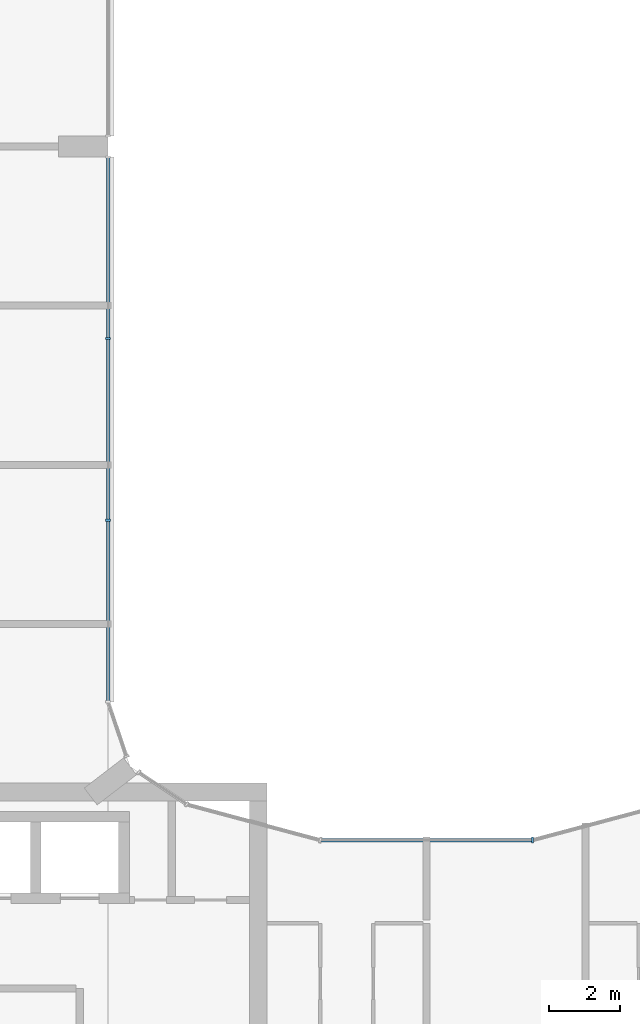
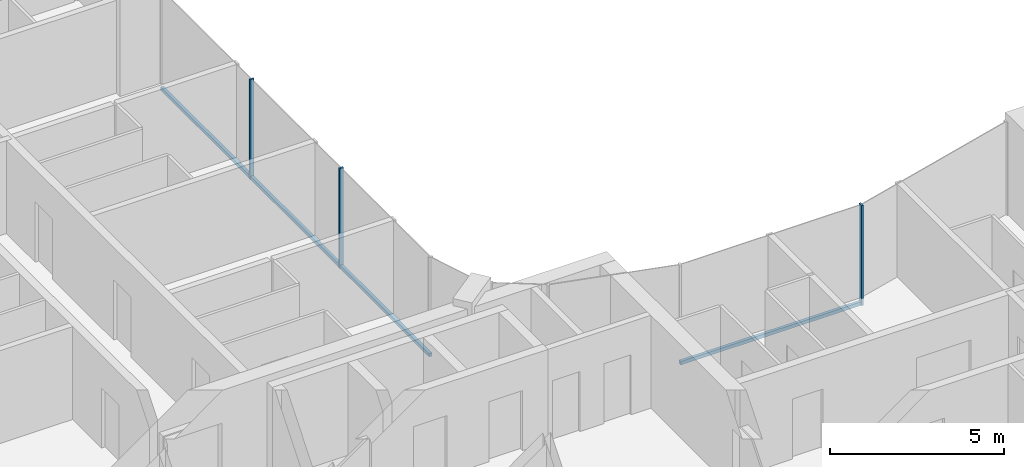
# One storey, part 5 of 16: 5 members, 2 elements without a shape of their own.
"""IFC4 building model written with IfcOpenShell, lengths in metres."""

from ifc_helpers import new_model, si_unit, direction, frame, origin, origin_2d, place, context, subcontext, project, spatial, rectangle, extrude, material, layer, layer_set, material_profile, profile_set, type_object, element, aggregate, save


model = new_model("IFC4")

# Units and contexts
model_context = context("Model", 3, precision=1e-05, world=origin(), true_north=direction((0.0, 1.0)))
body_context = subcontext(model_context, "Body", "Model", "MODEL_VIEW")
ifc_project = project(units=[si_unit("LENGTHUNIT", "METRE"), si_unit("AREAUNIT", "SQUARE_METRE"), si_unit("VOLUMEUNIT", "CUBIC_METRE"), si_unit("PLANEANGLEUNIT", "RADIAN"), si_unit("MASSUNIT", "GRAM", prefix="KILO")], contexts=[model_context])

# Site, building, storey
site_placement = place(None, origin())
site = spatial("IfcSite", under=ifc_project, at=site_placement, CompositionType="ELEMENT")
building_placement = place(site_placement, origin())
building = spatial("IfcBuilding", under=site, at=building_placement, Name="Plateau Cross Towers", CompositionType="ELEMENT")
storey_placement = place(building_placement, frame((0.0, 0.0, 218.89990234375)))
storey = spatial("IfcBuildingStorey", under=building, at=storey_placement, Name="L57", CompositionType="ELEMENT", Elevation=218.89990234375)

# Curtain wall, members
ifc_material_1 = material(Name="Dark low-iron glass", Category="glass")
ifc_layer_1 = layer(ifc_material_1, 0.239990234375)
ifc_layer_set_1 = layer_set([ifc_layer_1], Name="Dark low-iron glass")
curtain_wall_type_1 = type_object("IfcCurtainWallType", Name="Curtain wall flush unitised CW-B", PredefinedType="NOTDEFINED", material=ifc_layer_set_1)
curtain_wall_1_placement = place(storey_placement, origin())
curtain_wall_1 = element("IfcCurtainWall", 1, at=curtain_wall_1_placement, inside=storey, type_object=curtain_wall_type_1, Name="ENV/A/L57/A180_203", PredefinedType="NOTDEFINED")
ifc_material_2 = material(Name="Black anodised aluminium", Category="aluminium")
ifc_material_profile_1 = material_profile(ifc_material_2, rectangle(XDim=0.06005859375, YDim=0.139892578125, at=origin_2d()), Name="MULLION 60x140")
ifc_profile_set_1 = profile_set([ifc_material_profile_1], Name="Black anodised aluminium")
member_type_1 = type_object("IfcMemberType", Name="Mullion 60x140 flush unitised", PredefinedType="MULLION", material=ifc_profile_set_1)
member_1_placement = place(storey_placement, frame((18.0, 25.434814453125, -0.25), z_axis=(0.0, 0.0, 1.0), x_axis=(0.0, 1.0, 0.0)))
member_1 = element("IfcMember", 2, at=member_1_placement, type_object=member_type_1, Name="CW-B mullion 2", PredefinedType="MULLION", context=body_context, shape_type="SweptSolid", body=[
    extrude(rectangle(XDim=0.06005859375, YDim=0.139892578125, at=origin_2d()), origin(), (0.0, 0.0, 1.0), 3.5),
])
member_2_placement = place(storey_placement, frame((18.0, 30.5673828125, -0.25), z_axis=(0.0, 0.0, 1.0), x_axis=(0.0, 1.0, 0.0)))
member_2 = element("IfcMember", 3, at=member_2_placement, type_object=member_type_1, Name="CW-B mullion 3", PredefinedType="MULLION", context=body_context, shape_type="SweptSolid", body=[
    extrude(rectangle(XDim=0.06005859375, YDim=0.139892578125, at=origin_2d()), origin(), (0.0, 0.0, 1.0), 3.5),
])

# Curtain wall, member
ifc_layer_2 = layer(ifc_material_1, 0.260009765625)
ifc_layer_set_2 = layer_set([ifc_layer_2], Name="Dark low-iron glass")
curtain_wall_type_2 = type_object("IfcCurtainWallType", Name="Curtain wall fluted unitised CW-A", PredefinedType="NOTDEFINED", material=ifc_layer_set_2)
curtain_wall_2_placement = place(storey_placement, origin())
curtain_wall_2 = element("IfcCurtainWall", 4, at=curtain_wall_2_placement, inside=storey, type_object=curtain_wall_type_2, Name="ENV/A/L57/A300_164", PredefinedType="NOTDEFINED")
ifc_material_profile_2 = material_profile(ifc_material_2, rectangle(XDim=0.06005859375, YDim=0.159912109375, at=origin_2d()), Name="MULLION 60x160")
ifc_profile_set_2 = profile_set([ifc_material_profile_2], Name="Black anodised aluminium")
member_type_2 = type_object("IfcMemberType", Name="Mullion 60x160 fluted unitised", PredefinedType="MULLION", material=ifc_profile_set_2)
member_3_placement = place(storey_placement, frame((30.0, 16.39306640625, -0.25), z_axis=(0.0, 0.0, 1.0), x_axis=(-1.0, 0.0, 0.0)))
member_3 = element("IfcMember", 5, at=member_3_placement, type_object=member_type_2, Name="CW-A mullion 1", PredefinedType="MULLION", context=body_context, shape_type="SweptSolid", body=[
    extrude(rectangle(XDim=0.06005859375, YDim=0.159912109375, at=origin_2d()), origin(), (0.0, 0.0, 1.0), 3.5),
])

# Member
ifc_material_profile_3 = material_profile(ifc_material_2, rectangle(XDim=0.10009765625, YDim=0.1201171875, at=origin_2d()), Name="TRANSOM 100x120")
ifc_profile_set_3 = profile_set([ifc_material_profile_3], Name="Black anodised aluminium")
member_type_3 = type_object("IfcMemberType", Name="Transom 100x120 flush unitised", PredefinedType="USERDEFINED", material=ifc_profile_set_3)
member_4_placement = place(storey_placement, frame((18.0, 20.30224609375, -0.18994140625), z_axis=(0.0, 1.0, 0.0), x_axis=(-1.0, 0.0, 0.0)))
member_4 = element("IfcMember", 6, at=member_4_placement, type_object=member_type_3, Name="CW-B transom", ObjectType="TRANSOM", PredefinedType="USERDEFINED", context=body_context, shape_type="SweptSolid", body=[
    extrude(rectangle(XDim=0.10009765625, YDim=0.1201171875, at=origin_2d()), origin(), (0.0, 0.0, 1.0), 15.397705078125),
])

aggregate(curtain_wall_1, [member_1, member_2, member_4])

ifc_material_profile_4 = material_profile(ifc_material_2, rectangle(XDim=0.10009765625, YDim=0.1201171875, at=origin_2d()), Name="TRANSOM 100x120")
ifc_profile_set_4 = profile_set([ifc_material_profile_4], Name="Black anodised aluminium")
member_type_4 = type_object("IfcMemberType", Name="Transom 100x120 fluted unitised", PredefinedType="USERDEFINED", material=ifc_profile_set_4)
member_5_placement = place(storey_placement, frame((30.0, 16.39306640625, -0.18994140625), z_axis=(-1.0, 0.0, 0.0), x_axis=(0.0, -1.0, 0.0)))
member_5 = element("IfcMember", 7, at=member_5_placement, type_object=member_type_4, Name="CW-A transom", ObjectType="TRANSOM", PredefinedType="USERDEFINED", context=body_context, shape_type="SweptSolid", body=[
    extrude(rectangle(XDim=0.10009765625, YDim=0.1201171875, at=origin_2d()), origin(), (0.0, 0.0, 1.0), 6.0),
])

aggregate(curtain_wall_2, [member_3, member_5])

save(model, "model.ifc")
